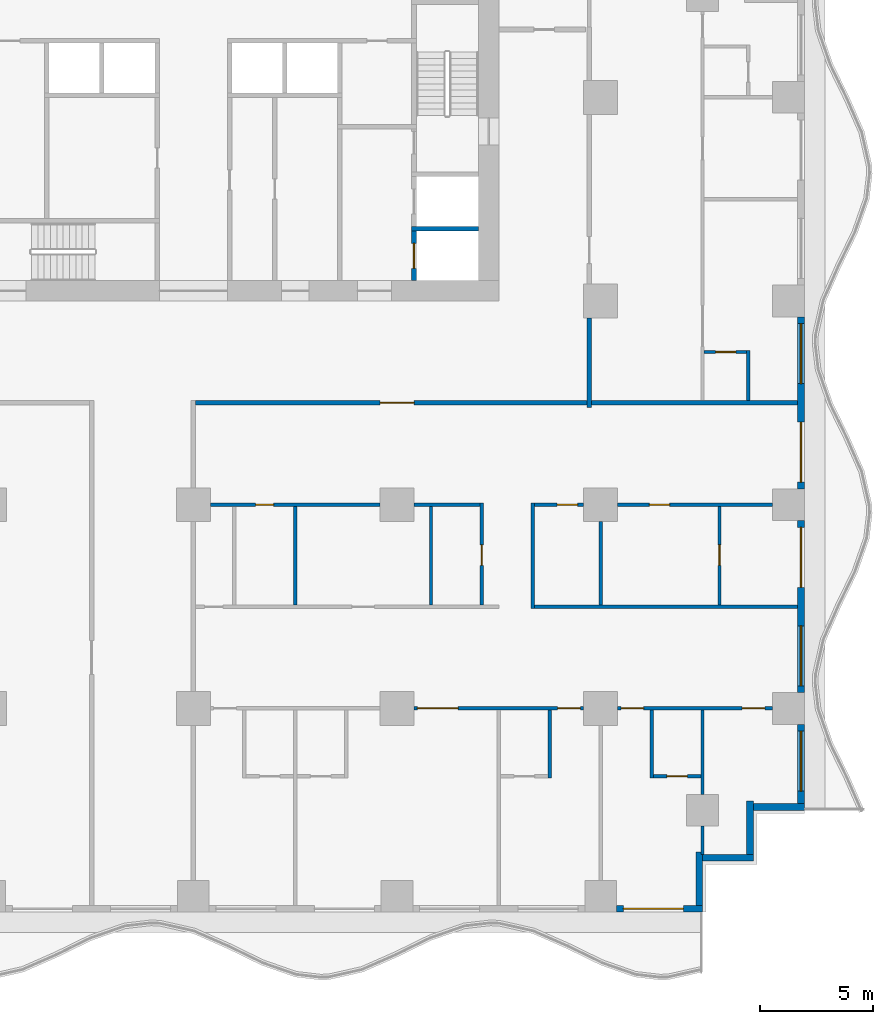
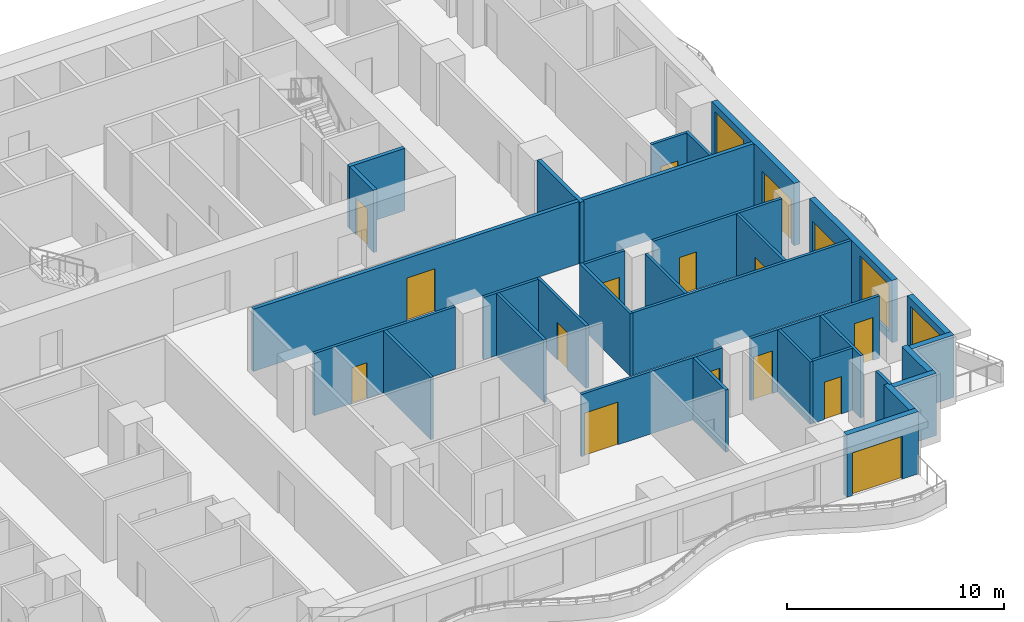
# One storey, part 4 of 14: 33 walls, 16 doors, 3 windows, 19 openings.
"""IFC4 building model written with IfcOpenShell, lengths in metres."""

from ifc_helpers import new_model, si_unit, direction, frame, frame_2d, origin, place, context, subcontext, project, spatial, rectangle, extrude, material, layer, layer_set, type_object, element, fill, save


model = new_model("IFC4")

# Units and contexts
model_context = context("Model", 3, precision=1e-05, world=origin(), true_north=direction((0.0, 1.0)))
body_context = subcontext(model_context, "Body", "Model", "MODEL_VIEW")
ifc_project = project(units=[si_unit("LENGTHUNIT", "METRE"), si_unit("AREAUNIT", "SQUARE_METRE"), si_unit("VOLUMEUNIT", "CUBIC_METRE"), si_unit("PLANEANGLEUNIT", "RADIAN"), si_unit("MASSUNIT", "GRAM", prefix="KILO")], contexts=[model_context])

# Site, building, storey
site_placement = place(None, origin())
site = spatial("IfcSite", under=ifc_project, at=site_placement, CompositionType="ELEMENT")
building_placement = place(site_placement, origin())
building = spatial("IfcBuilding", under=site, at=building_placement, Name="Orbiselva Terraces", CompositionType="ELEMENT")
storey_placement = place(building_placement, frame((0.0, 0.0, 56.8)))
storey = spatial("IfcBuildingStorey", under=building, at=storey_placement, Name="L14", CompositionType="ELEMENT", Elevation=56.8)

# Wall, opening, door
ifc_material_1 = material(Name="Concrete C60/75", Category="concrete")
ifc_layer_1 = layer(ifc_material_1, 0.2)
ifc_layer_set_1 = layer_set([ifc_layer_1], Name="Concrete C60/75")
wall_type_1 = type_object("IfcWallType", Name="CORE-WALL-SHEAR-200", PredefinedType="SHEAR", material=ifc_layer_set_1)
wall_1_placement = place(storey_placement, frame((9.75, 5.4, 0.0), z_axis=(0.0, 0.0, 1.0), x_axis=(0.0, 1.0, 0.0)))
wall_1 = element("IfcWall", 1, at=wall_1_placement, inside=storey, type_object=wall_type_1, Name="L14 core wall 36", PredefinedType="SHEAR", context=body_context, shape_type="SweptSolid", body=[
    extrude(rectangle(XDim=2.2, YDim=0.2, at=frame_2d((1.1, 0.0))), origin(), (0.0, 0.0, 1.0), 3.5),
])
opening_1_placement = place(wall_1_placement, frame((0.55, 0.0, 0.0)))
opening_1 = element("IfcOpeningElement", 2, at=opening_1_placement, cuts=wall_1, Name="Opening LD-FF1", PredefinedType="OPENING", context=body_context, shape_type="SweptSolid", body=[
    extrude(rectangle(XDim=1.1, YDim=2.1, at=frame_2d((0.55, 1.05))), frame((0.0, 0.11, 0.0), z_axis=(0.0, -1.0, 0.0), x_axis=(1.0, 0.0, 0.0)), (0.0, 0.0, 1.0), 0.22),
])
ifc_material_2 = material(Name="Stainless steel landing door", Category="steel")
door_type_1 = type_object("IfcDoorType", Name="LANDING DOOR 1100", OperationType="SLIDING_TO_LEFT", PredefinedType="DOOR", material=ifc_material_2)
door_1_placement = place(opening_1_placement, origin())
door_1 = element("IfcDoor", 3, at=door_1_placement, inside=storey, type_object=door_type_1, Name="L14 landing door FF1", OperationType="SLIDING_TO_RIGHT", OverallHeight=2.1, OverallWidth=1.1, PredefinedType="DOOR", context=body_context, shape_type="SweptSolid", body=[
    extrude(rectangle(XDim=1.1, YDim=2.1, at=frame_2d((0.55, 1.05))), frame((0.0, 0.025, 0.0), z_axis=(0.0, -1.0, 0.0), x_axis=(1.0, 0.0, 0.0)), (0.0, 0.0, 1.0), 0.05),
])
fill(opening_1, door_1)

# Wall
wall_2_placement = place(storey_placement, frame((9.65, 7.7, 0.0), z_axis=(0.0, 0.0, 1.0), x_axis=(1.0, 0.0, 0.0)))
element("IfcWall", 4, at=wall_2_placement, inside=storey, type_object=wall_type_1, Name="L14 core wall 37", PredefinedType="SHEAR", context=body_context, shape_type="SweptSolid", body=[
    extrude(rectangle(XDim=2.95, YDim=0.2, at=frame_2d((1.475, 0.0))), origin(), (0.0, 0.0, 1.0), 3.5),
])

# Wall, opening, door
ifc_material_3 = material(Name="Terracotta cladding on masonry backing", Category="masonry")
ifc_layer_2 = layer(ifc_material_3, 0.3)
ifc_layer_set_2 = layer_set([ifc_layer_2], Name="Terracotta cladding on masonry backing")
wall_type_2 = type_object("IfcWallType", Name="ENV-WALL-TERRACOTTA-300", PredefinedType="SOLIDWALL", material=ifc_layer_set_2)
wall_3_placement = place(storey_placement, frame((22.5, -22.35, 0.0), z_axis=(0.0, 0.0, 1.0), x_axis=(-1.0, 0.0, 0.0)))
wall_3 = element("IfcWall", 5, at=wall_3_placement, inside=storey, type_object=wall_type_2, Name="Facade wall L14 S", PredefinedType="SOLIDWALL", context=body_context, shape_type="SweptSolid", body=[
    extrude(rectangle(XDim=3.8, YDim=0.3, at=frame_2d((1.9, 0.0))), origin(), (0.0, 0.0, 1.0), 3.5),
])
opening_2_placement = place(wall_3_placement, frame((0.85, 0.0, 0.0)))
opening_2 = element("IfcOpeningElement", 6, at=opening_2_placement, cuts=wall_3, Name="Opening Z1-E-E04", PredefinedType="OPENING", context=body_context, shape_type="SweptSolid", body=[
    extrude(rectangle(XDim=2.65, YDim=2.4, at=frame_2d((1.325, 1.2))), frame((0.0, 0.16, 0.0), z_axis=(0.0, -1.0, 0.0), x_axis=(1.0, 0.0, 0.0)), (0.0, 0.0, 1.0), 0.32),
])
ifc_material_4 = material(Name="Clear low-e glazing in aluminium frame", Category="aluminium")
door_type_2 = type_object("IfcDoorType", Name="BALCONY DOOR 2650 X 2400", OperationType="DOUBLE_DOOR_SLIDING", PredefinedType="DOOR", material=ifc_material_4)
door_2_placement = place(opening_2_placement, origin())
door_2 = element("IfcDoor", 7, at=door_2_placement, inside=storey, type_object=door_type_2, Name="Z1-E-E04", OperationType="SINGLE_SWING_LEFT", OverallHeight=2.4, OverallWidth=2.65, PredefinedType="DOOR", context=body_context, shape_type="SweptSolid", body=[
    extrude(rectangle(XDim=2.65, YDim=2.4, at=frame_2d((1.325, 1.2))), frame((0.0, 0.025, 0.0), z_axis=(0.0, -1.0, 0.0), x_axis=(1.0, 0.0, 0.0)), (0.0, 0.0, 1.0), 0.05),
])
fill(opening_2, door_2)

# Walls
wall_4_placement = place(storey_placement, frame((22.35, -19.85, 0.0), z_axis=(0.0, 0.0, 1.0), x_axis=(0.0, -1.0, 0.0)))
element("IfcWall", 8, at=wall_4_placement, inside=storey, type_object=wall_type_2, Name="Facade wall L14 STEP", PredefinedType="SOLIDWALL", context=body_context, shape_type="SweptSolid", body=[
    extrude(rectangle(XDim=2.35, YDim=0.3, at=frame_2d((1.175, 0.0))), origin(), (0.0, 0.0, 1.0), 3.5),
])
wall_5_placement = place(storey_placement, frame((24.75, -20.1, 0.0), z_axis=(0.0, 0.0, 1.0), x_axis=(-1.0, 0.0, 0.0)))
element("IfcWall", 9, at=wall_5_placement, inside=storey, type_object=wall_type_2, Name="Facade wall L14 STEP", PredefinedType="SOLIDWALL", context=body_context, shape_type="SweptSolid", body=[
    extrude(rectangle(XDim=2.25, YDim=0.3, at=frame_2d((1.125, 0.0))), origin(), (0.0, 0.0, 1.0), 3.5),
])
wall_6_placement = place(storey_placement, frame((24.6, -17.6, 0.0), z_axis=(0.0, 0.0, 1.0), x_axis=(0.0, -1.0, 0.0)))
element("IfcWall", 10, at=wall_6_placement, inside=storey, type_object=wall_type_2, Name="Facade wall L14 STEP", PredefinedType="SOLIDWALL", context=body_context, shape_type="SweptSolid", body=[
    extrude(rectangle(XDim=2.35, YDim=0.3, at=frame_2d((1.175, 0.0))), origin(), (0.0, 0.0, 1.0), 3.5),
])
wall_7_placement = place(storey_placement, frame((27.0, -17.85, 0.0), z_axis=(0.0, 0.0, 1.0), x_axis=(-1.0, 0.0, 0.0)))
element("IfcWall", 11, at=wall_7_placement, inside=storey, type_object=wall_type_2, Name="Facade wall L14 STEP", PredefinedType="SOLIDWALL", context=body_context, shape_type="SweptSolid", body=[
    extrude(rectangle(XDim=2.25, YDim=0.3, at=frame_2d((1.125, 0.0))), origin(), (0.0, 0.0, 1.0), 3.5),
])

# Wall, opening, window
wall_8_placement = place(storey_placement, frame((26.85, -14.2, 0.0), z_axis=(0.0, 0.0, 1.0), x_axis=(0.0, -1.0, 0.0)))
wall_8 = element("IfcWall", 12, at=wall_8_placement, inside=storey, type_object=wall_type_2, Name="Facade wall L14 E", PredefinedType="SOLIDWALL", context=body_context, shape_type="SweptSolid", body=[
    extrude(rectangle(XDim=3.5, YDim=0.3, at=frame_2d((1.75, 0.0))), origin(), (0.0, 0.0, 1.0), 3.5),
])
opening_3_placement = place(wall_8_placement, frame((0.3, 0.0, 0.45)))
opening_3 = element("IfcOpeningElement", 13, at=opening_3_placement, cuts=wall_8, Name="Opening WN3", PredefinedType="OPENING", context=body_context, shape_type="SweptSolid", body=[
    extrude(rectangle(XDim=2.65, YDim=2.65, at=frame_2d((1.325, 1.325))), frame((0.0, 0.16, 0.0), z_axis=(0.0, -1.0, 0.0), x_axis=(1.0, 0.0, 0.0)), (0.0, 0.0, 1.0), 0.32),
])
window_type = type_object("IfcWindowType", Name="WINDOW 2650 X 2650 S450", PartitioningType="TRIPLE_PANEL_VERTICAL", PredefinedType="WINDOW", material=ifc_material_4)
window_1_placement = place(opening_3_placement, origin())
window_1 = element("IfcWindow", 14, at=window_1_placement, inside=storey, type_object=window_type, Name="Window L14 E", OverallHeight=2.65, OverallWidth=2.65, PartitioningType="SINGLE_PANEL", PredefinedType="WINDOW", context=body_context, shape_type="SweptSolid", body=[
    extrude(rectangle(XDim=2.65, YDim=2.65, at=frame_2d((1.325, 1.325))), frame((0.0, 0.03, 0.0), z_axis=(0.0, -1.0, 0.0), x_axis=(1.0, 0.0, 0.0)), (0.0, 0.0, 1.0), 0.06),
])
fill(opening_3, window_1)

# Wall, openings, door, window
wall_9_placement = place(storey_placement, frame((26.85, -5.2, 0.0), z_axis=(0.0, 0.0, 1.0), x_axis=(0.0, -1.0, 0.0)))
wall_9 = element("IfcWall", 15, at=wall_9_placement, inside=storey, type_object=wall_type_2, Name="Facade wall L14 E", PredefinedType="SOLIDWALL", context=body_context, shape_type="SweptSolid", body=[
    extrude(rectangle(XDim=7.6, YDim=0.3, at=frame_2d((3.8, 0.0))), origin(), (0.0, 0.0, 1.0), 3.5),
])
opening_4_placement = place(wall_9_placement, frame((4.65, 0.0, 0.45)))
opening_4 = element("IfcOpeningElement", 16, at=opening_4_placement, cuts=wall_9, Name="Opening WN3", PredefinedType="OPENING", context=body_context, shape_type="SweptSolid", body=[
    extrude(rectangle(XDim=2.65, YDim=2.65, at=frame_2d((1.325, 1.325))), frame((0.0, 0.16, 0.0), z_axis=(0.0, -1.0, 0.0), x_axis=(1.0, 0.0, 0.0)), (0.0, 0.0, 1.0), 0.32),
])
opening_5_placement = place(wall_9_placement, frame((0.3, 0.0, 0.0)))
opening_5 = element("IfcOpeningElement", 17, at=opening_5_placement, cuts=wall_9, Name="Opening Z1-E-E05", PredefinedType="OPENING", context=body_context, shape_type="SweptSolid", body=[
    extrude(rectangle(XDim=2.65, YDim=2.4, at=frame_2d((1.325, 1.2))), frame((0.0, 0.16, 0.0), z_axis=(0.0, -1.0, 0.0), x_axis=(1.0, 0.0, 0.0)), (0.0, 0.0, 1.0), 0.32),
])
door_3_placement = place(opening_5_placement, origin())
door_3 = element("IfcDoor", 18, at=door_3_placement, inside=storey, type_object=door_type_2, Name="Z1-E-E05", OperationType="SINGLE_SWING_LEFT", OverallHeight=2.4, OverallWidth=2.65, PredefinedType="DOOR", context=body_context, shape_type="SweptSolid", body=[
    extrude(rectangle(XDim=2.65, YDim=2.4, at=frame_2d((1.325, 1.2))), frame((0.0, 0.025, 0.0), z_axis=(0.0, -1.0, 0.0), x_axis=(1.0, 0.0, 0.0)), (0.0, 0.0, 1.0), 0.05),
])
fill(opening_5, door_3)
window_2_placement = place(opening_4_placement, origin())
window_2 = element("IfcWindow", 19, at=window_2_placement, inside=storey, type_object=window_type, Name="Window L14 E", OverallHeight=2.65, OverallWidth=2.65, PartitioningType="SINGLE_PANEL", PredefinedType="WINDOW", context=body_context, shape_type="SweptSolid", body=[
    extrude(rectangle(XDim=2.65, YDim=2.65, at=frame_2d((1.325, 1.325))), frame((0.0, 0.03, 0.0), z_axis=(0.0, -1.0, 0.0), x_axis=(1.0, 0.0, 0.0)), (0.0, 0.0, 1.0), 0.06),
])
fill(opening_4, window_2)

wall_10_placement = place(storey_placement, frame((26.85, 3.8, 0.0), z_axis=(0.0, 0.0, 1.0), x_axis=(0.0, -1.0, 0.0)))
wall_10 = element("IfcWall", 20, at=wall_10_placement, inside=storey, type_object=wall_type_2, Name="Facade wall L14 E", PredefinedType="SOLIDWALL", context=body_context, shape_type="SweptSolid", body=[
    extrude(rectangle(XDim=7.6, YDim=0.3, at=frame_2d((3.8, 0.0))), origin(), (0.0, 0.0, 1.0), 3.5),
])
opening_6_placement = place(wall_10_placement, frame((4.65, 0.0, 0.0)))
opening_6 = element("IfcOpeningElement", 21, at=opening_6_placement, cuts=wall_10, Name="Opening Z1-E-E06", PredefinedType="OPENING", context=body_context, shape_type="SweptSolid", body=[
    extrude(rectangle(XDim=2.65, YDim=2.4, at=frame_2d((1.325, 1.2))), frame((0.0, 0.16, 0.0), z_axis=(0.0, -1.0, 0.0), x_axis=(1.0, 0.0, 0.0)), (0.0, 0.0, 1.0), 0.32),
])
opening_7_placement = place(wall_10_placement, frame((0.3, 0.0, 0.45)))
opening_7 = element("IfcOpeningElement", 22, at=opening_7_placement, cuts=wall_10, Name="Opening WN3", PredefinedType="OPENING", context=body_context, shape_type="SweptSolid", body=[
    extrude(rectangle(XDim=2.65, YDim=2.65, at=frame_2d((1.325, 1.325))), frame((0.0, 0.16, 0.0), z_axis=(0.0, -1.0, 0.0), x_axis=(1.0, 0.0, 0.0)), (0.0, 0.0, 1.0), 0.32),
])
door_4_placement = place(opening_6_placement, origin())
door_4 = element("IfcDoor", 23, at=door_4_placement, inside=storey, type_object=door_type_2, Name="Z1-E-E06", OperationType="SINGLE_SWING_LEFT", OverallHeight=2.4, OverallWidth=2.65, PredefinedType="DOOR", context=body_context, shape_type="SweptSolid", body=[
    extrude(rectangle(XDim=2.65, YDim=2.4, at=frame_2d((1.325, 1.2))), frame((0.0, 0.025, 0.0), z_axis=(0.0, -1.0, 0.0), x_axis=(1.0, 0.0, 0.0)), (0.0, 0.0, 1.0), 0.05),
])
fill(opening_6, door_4)
window_3_placement = place(opening_7_placement, origin())
window_3 = element("IfcWindow", 24, at=window_3_placement, inside=storey, type_object=window_type, Name="Window L14 E", OverallHeight=2.65, OverallWidth=2.65, PartitioningType="SINGLE_PANEL", PredefinedType="WINDOW", context=body_context, shape_type="SweptSolid", body=[
    extrude(rectangle(XDim=2.65, YDim=2.65, at=frame_2d((1.325, 1.325))), frame((0.0, 0.03, 0.0), z_axis=(0.0, -1.0, 0.0), x_axis=(1.0, 0.0, 0.0)), (0.0, 0.0, 1.0), 0.06),
])
fill(opening_7, window_3)

# Wall, opening, door
ifc_material_5 = material(Name="Plasterboard on steel stud partition", Category="steel")
ifc_layer_3 = layer(ifc_material_5, 0.2)
ifc_layer_set_3 = layer_set([ifc_layer_3], Name="Plasterboard on steel stud partition")
wall_type_3 = type_object("IfcWallType", Name="UNIT-ENTRANCE-WALL-200", PredefinedType="PARTITIONING", material=ifc_layer_set_3)
wall_11_placement = place(storey_placement, frame((17.4, 0.0, 0.0), z_axis=(0.0, 0.0, 1.0), x_axis=(-1.0, 0.0, 0.0)))
wall_11 = element("IfcWall", 25, at=wall_11_placement, inside=storey, type_object=wall_type_3, Name="PARTITION L14-030", PredefinedType="PARTITIONING", context=body_context, shape_type="SweptSolid", body=[
    extrude(rectangle(XDim=17.3, YDim=0.2, at=frame_2d((8.65, 0.0))), origin(), (0.0, 0.0, 1.0), 3.5),
])
opening_8_placement = place(wall_11_placement, frame((7.65, 0.0, 0.0)))
opening_8 = element("IfcOpeningElement", 26, at=opening_8_placement, cuts=wall_11, Name="Opening Z1-E-31", PredefinedType="OPENING", context=body_context, shape_type="SweptSolid", body=[
    extrude(rectangle(XDim=1.5, YDim=2.4, at=frame_2d((0.75, 1.2))), frame((0.0, 0.11, 0.0), z_axis=(0.0, -1.0, 0.0), x_axis=(1.0, 0.0, 0.0)), (0.0, 0.0, 1.0), 0.22),
])
ifc_material_6 = material(Name="Painted timber door leaf", Category="wood")
door_type_3 = type_object("IfcDoorType", Name="ENTRANCE DOUBLE DOOR 1500", OperationType="NOTDEFINED", PredefinedType="DOOR", material=ifc_material_6)
door_5_placement = place(opening_8_placement, origin())
door_5 = element("IfcDoor", 27, at=door_5_placement, inside=storey, type_object=door_type_3, Name="Z1-E-31", OperationType="DOUBLE_DOOR_SINGLE_SWING", OverallHeight=2.4, OverallWidth=1.5, PredefinedType="DOOR", context=body_context, shape_type="SweptSolid", body=[
    extrude(rectangle(XDim=1.5, YDim=2.4, at=frame_2d((0.75, 1.2))), frame((0.0, 0.025, 0.0), z_axis=(0.0, -1.0, 0.0), x_axis=(1.0, 0.0, 0.0)), (0.0, 0.0, 1.0), 0.05),
])
fill(opening_8, door_5)

# Wall
wall_12_placement = place(storey_placement, frame((17.5, -0.2, 0.0), z_axis=(0.0, 0.0, 1.0), x_axis=(0.0, 1.0, 0.0)))
element("IfcWall", 28, at=wall_12_placement, inside=storey, type_object=wall_type_3, Name="PARTITION L14-077", PredefinedType="PARTITIONING", context=body_context, shape_type="SweptSolid", body=[
    extrude(rectangle(XDim=3.95, YDim=0.2, at=frame_2d((1.975, 0.0))), origin(), (0.0, 0.0, 1.0), 3.5),
])

# Wall, opening, door
ifc_layer_4 = layer(ifc_material_5, 0.15)
ifc_layer_set_4 = layer_set([ifc_layer_4], Name="Plasterboard on steel stud partition")
wall_type_4 = type_object("IfcWallType", Name="UNIT-PARTITION-150", PredefinedType="PARTITIONING", material=ifc_layer_set_4)
wall_13_placement = place(storey_placement, frame((20.325, -16.5, 0.0), z_axis=(0.0, 0.0, 1.0), x_axis=(1.0, 0.0, 0.0)))
wall_13 = element("IfcWall", 29, at=wall_13_placement, inside=storey, type_object=wall_type_4, Name="PARTITION L14-006", PredefinedType="PARTITIONING", context=body_context, shape_type="SweptSolid", body=[
    extrude(rectangle(XDim=2.1, YDim=0.15, at=frame_2d((1.05, 0.0))), origin(), (0.0, 0.0, 1.0), 3.5),
])
opening_9_placement = place(wall_13_placement, frame((0.6, 0.0, 0.0)))
opening_9 = element("IfcOpeningElement", 30, at=opening_9_placement, cuts=wall_13, Name="Opening Z1-E-46", PredefinedType="OPENING", context=body_context, shape_type="SweptSolid", body=[
    extrude(rectangle(XDim=0.9, YDim=2.1, at=frame_2d((0.45, 1.05))), frame((0.0, 0.085, 0.0), z_axis=(0.0, -1.0, 0.0), x_axis=(1.0, 0.0, 0.0)), (0.0, 0.0, 1.0), 0.17),
])
door_type_4 = type_object("IfcDoorType", Name="BATH DOOR 900", OperationType="NOTDEFINED", PredefinedType="DOOR", material=ifc_material_6)
door_6_placement = place(opening_9_placement, origin())
door_6 = element("IfcDoor", 31, at=door_6_placement, inside=storey, type_object=door_type_4, Name="Z1-E-46", OperationType="SINGLE_SWING_LEFT", OverallHeight=2.1, OverallWidth=0.9, PredefinedType="DOOR", context=body_context, shape_type="SweptSolid", body=[
    extrude(rectangle(XDim=0.9, YDim=2.1, at=frame_2d((0.45, 1.05))), frame((0.0, 0.025, 0.0), z_axis=(0.0, -1.0, 0.0), x_axis=(1.0, 0.0, 0.0)), (0.0, 0.0, 1.0), 0.05),
])
fill(opening_9, door_6)

# Wall, openings, doors
wall_14_placement = place(storey_placement, frame((17.25, -13.5, 0.0), z_axis=(0.0, 0.0, 1.0), x_axis=(-1.0, 0.0, 0.0)))
wall_14 = element("IfcWall", 32, at=wall_14_placement, inside=storey, type_object=wall_type_4, Name="PARTITION L14-011", PredefinedType="PARTITIONING", context=body_context, shape_type="SweptSolid", body=[
    extrude(rectangle(XDim=7.5, YDim=0.15, at=frame_2d((3.75, 0.0))), origin(), (0.0, 0.0, 1.0), 3.5),
])
opening_10_placement = place(wall_14_placement, frame((5.55, 0.0, 0.0)))
opening_10 = element("IfcOpeningElement", 33, at=opening_10_placement, cuts=wall_14, Name="Opening Z1-E-41", PredefinedType="OPENING", context=body_context, shape_type="SweptSolid", body=[
    extrude(rectangle(XDim=1.8, YDim=2.4, at=frame_2d((0.9, 1.2))), frame((0.0, 0.085, 0.0), z_axis=(0.0, -1.0, 0.0), x_axis=(1.0, 0.0, 0.0)), (0.0, 0.0, 1.0), 0.17),
])
opening_11_placement = place(wall_14_placement, frame((0.15, 0.0, 0.0)))
opening_11 = element("IfcOpeningElement", 34, at=opening_11_placement, cuts=wall_14, Name="Opening Z1-E-43", PredefinedType="OPENING", context=body_context, shape_type="SweptSolid", body=[
    extrude(rectangle(XDim=1.0, YDim=2.4, at=frame_2d((0.5, 1.2))), frame((0.0, 0.085, 0.0), z_axis=(0.0, -1.0, 0.0), x_axis=(1.0, 0.0, 0.0)), (0.0, 0.0, 1.0), 0.17),
])
door_type_5 = type_object("IfcDoorType", Name="DOUBLE DOOR 1800", OperationType="NOTDEFINED", PredefinedType="DOOR", material=ifc_material_6)
door_7_placement = place(opening_10_placement, origin())
door_7 = element("IfcDoor", 35, at=door_7_placement, inside=storey, type_object=door_type_5, Name="Z1-E-41", OperationType="DOUBLE_DOOR_SINGLE_SWING", OverallHeight=2.4, OverallWidth=1.8, PredefinedType="DOOR", context=body_context, shape_type="SweptSolid", body=[
    extrude(rectangle(XDim=1.8, YDim=2.4, at=frame_2d((0.9, 1.2))), frame((0.0, 0.025, 0.0), z_axis=(0.0, -1.0, 0.0), x_axis=(1.0, 0.0, 0.0)), (0.0, 0.0, 1.0), 0.05),
])
fill(opening_10, door_7)
door_type_6 = type_object("IfcDoorType", Name="ROOM DOOR 1000", OperationType="NOTDEFINED", PredefinedType="DOOR", material=ifc_material_6)
door_8_placement = place(opening_11_placement, origin())
door_8 = element("IfcDoor", 36, at=door_8_placement, inside=storey, type_object=door_type_6, Name="Z1-E-43", OperationType="SINGLE_SWING_LEFT", OverallHeight=2.4, OverallWidth=1.0, PredefinedType="DOOR", context=body_context, shape_type="SweptSolid", body=[
    extrude(rectangle(XDim=1.0, YDim=2.4, at=frame_2d((0.5, 1.2))), frame((0.0, 0.025, 0.0), z_axis=(0.0, -1.0, 0.0), x_axis=(1.0, 0.0, 0.0)), (0.0, 0.0, 1.0), 0.05),
])
fill(opening_11, door_8)

wall_15_placement = place(storey_placement, frame((25.6, -13.5, 0.0), z_axis=(0.0, 0.0, 1.0), x_axis=(-1.0, 0.0, 0.0)))
wall_15 = element("IfcWall", 37, at=wall_15_placement, inside=storey, type_object=wall_type_4, Name="PARTITION L14-012", PredefinedType="PARTITIONING", context=body_context, shape_type="SweptSolid", body=[
    extrude(rectangle(XDim=6.85, YDim=0.15, at=frame_2d((3.425, 0.0))), origin(), (0.0, 0.0, 1.0), 3.5),
])
opening_12_placement = place(wall_15_placement, frame((5.7, 0.0, 0.0)))
opening_12 = element("IfcOpeningElement", 38, at=opening_12_placement, cuts=wall_15, Name="Opening Z1-E-45", PredefinedType="OPENING", context=body_context, shape_type="SweptSolid", body=[
    extrude(rectangle(XDim=1.0, YDim=2.4, at=frame_2d((0.5, 1.2))), frame((0.0, 0.085, 0.0), z_axis=(0.0, -1.0, 0.0), x_axis=(1.0, 0.0, 0.0)), (0.0, 0.0, 1.0), 0.17),
])
opening_13_placement = place(wall_15_placement, frame((0.35, 0.0, 0.0)))
opening_13 = element("IfcOpeningElement", 39, at=opening_13_placement, cuts=wall_15, Name="Opening Z1-E-47", PredefinedType="OPENING", context=body_context, shape_type="SweptSolid", body=[
    extrude(rectangle(XDim=1.0, YDim=2.4, at=frame_2d((0.5, 1.2))), frame((0.0, 0.085, 0.0), z_axis=(0.0, -1.0, 0.0), x_axis=(1.0, 0.0, 0.0)), (0.0, 0.0, 1.0), 0.17),
])
door_9_placement = place(opening_12_placement, origin())
door_9 = element("IfcDoor", 40, at=door_9_placement, inside=storey, type_object=door_type_6, Name="Z1-E-45", OperationType="SINGLE_SWING_RIGHT", OverallHeight=2.4, OverallWidth=1.0, PredefinedType="DOOR", context=body_context, shape_type="SweptSolid", body=[
    extrude(rectangle(XDim=1.0, YDim=2.4, at=frame_2d((0.5, 1.2))), frame((0.0, 0.025, 0.0), z_axis=(0.0, -1.0, 0.0), x_axis=(1.0, 0.0, 0.0)), (0.0, 0.0, 1.0), 0.05),
])
fill(opening_12, door_9)
door_10_placement = place(opening_13_placement, origin())
door_10 = element("IfcDoor", 41, at=door_10_placement, inside=storey, type_object=door_type_6, Name="Z1-E-47", OperationType="SINGLE_SWING_LEFT", OverallHeight=2.4, OverallWidth=1.0, PredefinedType="DOOR", context=body_context, shape_type="SweptSolid", body=[
    extrude(rectangle(XDim=1.0, YDim=2.4, at=frame_2d((0.5, 1.2))), frame((0.0, 0.025, 0.0), z_axis=(0.0, -1.0, 0.0), x_axis=(1.0, 0.0, 0.0)), (0.0, 0.0, 1.0), 0.05),
])
fill(opening_13, door_10)

# Wall
wall_16_placement = place(storey_placement, frame((15.075, -9.0, 0.0), z_axis=(0.0, 0.0, 1.0), x_axis=(1.0, 0.0, 0.0)))
element("IfcWall", 42, at=wall_16_placement, inside=storey, type_object=wall_type_4, Name="PARTITION L14-019", PredefinedType="PARTITIONING", context=body_context, shape_type="SweptSolid", body=[
    extrude(rectangle(XDim=11.625, YDim=0.15, at=frame_2d((5.8125, 0.0))), origin(), (0.0, 0.0, 1.0), 3.5),
])

# Wall, opening, door
wall_17_placement = place(storey_placement, frame((8.25, -4.5, 0.0), z_axis=(0.0, 0.0, 1.0), x_axis=(-1.0, 0.0, 0.0)))
wall_17 = element("IfcWall", 43, at=wall_17_placement, inside=storey, type_object=wall_type_4, Name="PARTITION L14-023", PredefinedType="PARTITIONING", context=body_context, shape_type="SweptSolid", body=[
    extrude(rectangle(XDim=7.5, YDim=0.15, at=frame_2d((3.75, 0.0))), origin(), (0.0, 0.0, 1.0), 3.5),
])
opening_14_placement = place(wall_17_placement, frame((4.7, 0.0, 0.0)))
opening_14 = element("IfcOpeningElement", 44, at=opening_14_placement, cuts=wall_17, Name="Opening Z1-E-33", PredefinedType="OPENING", context=body_context, shape_type="SweptSolid", body=[
    extrude(rectangle(XDim=0.8, YDim=2.0, at=frame_2d((0.4, 1.0))), frame((0.0, 0.085, 0.0), z_axis=(0.0, -1.0, 0.0), x_axis=(1.0, 0.0, 0.0)), (0.0, 0.0, 1.0), 0.17),
])
door_type_7 = type_object("IfcDoorType", Name="STORE DOOR 800", OperationType="NOTDEFINED", PredefinedType="DOOR", material=ifc_material_6)
door_11_placement = place(opening_14_placement, origin())
door_11 = element("IfcDoor", 45, at=door_11_placement, inside=storey, type_object=door_type_7, Name="Z1-E-33", OperationType="SINGLE_SWING_RIGHT", OverallHeight=2.0, OverallWidth=0.8, PredefinedType="DOOR", context=body_context, shape_type="SweptSolid", body=[
    extrude(rectangle(XDim=0.8, YDim=2.0, at=frame_2d((0.4, 1.0))), frame((0.0, 0.025, 0.0), z_axis=(0.0, -1.0, 0.0), x_axis=(1.0, 0.0, 0.0)), (0.0, 0.0, 1.0), 0.05),
])
fill(opening_14, door_11)

# Wall
wall_18_placement = place(storey_placement, frame((9.75, -4.5, 0.0), z_axis=(0.0, 0.0, 1.0), x_axis=(1.0, 0.0, 0.0)))
element("IfcWall", 46, at=wall_18_placement, inside=storey, type_object=wall_type_4, Name="PARTITION L14-024", PredefinedType="PARTITIONING", context=body_context, shape_type="SweptSolid", body=[
    extrude(rectangle(XDim=2.925, YDim=0.15, at=frame_2d((1.4625, 0.0))), origin(), (0.0, 0.0, 1.0), 3.5),
])

# Wall, opening, door
wall_19_placement = place(storey_placement, frame((17.25, -4.5, 0.0), z_axis=(0.0, 0.0, 1.0), x_axis=(-1.0, 0.0, 0.0)))
wall_19 = element("IfcWall", 47, at=wall_19_placement, inside=storey, type_object=wall_type_4, Name="PARTITION L14-025", PredefinedType="PARTITIONING", context=body_context, shape_type="SweptSolid", body=[
    extrude(rectangle(XDim=2.175, YDim=0.15, at=frame_2d((1.0875, 0.0))), origin(), (0.0, 0.0, 1.0), 3.5),
])
opening_15_placement = place(wall_19_placement, frame((0.275, 0.0, 0.0)))
opening_15 = element("IfcOpeningElement", 48, at=opening_15_placement, cuts=wall_19, Name="Opening Z1-E-36", PredefinedType="OPENING", context=body_context, shape_type="SweptSolid", body=[
    extrude(rectangle(XDim=0.9, YDim=2.1, at=frame_2d((0.45, 1.05))), frame((0.0, 0.085, 0.0), z_axis=(0.0, -1.0, 0.0), x_axis=(1.0, 0.0, 0.0)), (0.0, 0.0, 1.0), 0.17),
])
door_type_8 = type_object("IfcDoorType", Name="SERVICE DOOR 900", OperationType="NOTDEFINED", PredefinedType="DOOR", material=ifc_material_6)
door_12_placement = place(opening_15_placement, origin())
door_12 = element("IfcDoor", 49, at=door_12_placement, inside=storey, type_object=door_type_8, Name="Z1-E-36", OperationType="SINGLE_SWING_LEFT", OverallHeight=2.1, OverallWidth=0.9, PredefinedType="DOOR", context=body_context, shape_type="SweptSolid", body=[
    extrude(rectangle(XDim=0.9, YDim=2.1, at=frame_2d((0.45, 1.05))), frame((0.0, 0.025, 0.0), z_axis=(0.0, -1.0, 0.0), x_axis=(1.0, 0.0, 0.0)), (0.0, 0.0, 1.0), 0.05),
])
fill(opening_15, door_12)

wall_20_placement = place(storey_placement, frame((25.6, -4.5, 0.0), z_axis=(0.0, 0.0, 1.0), x_axis=(-1.0, 0.0, 0.0)))
wall_20 = element("IfcWall", 50, at=wall_20_placement, inside=storey, type_object=wall_type_4, Name="PARTITION L14-026", PredefinedType="PARTITIONING", context=body_context, shape_type="SweptSolid", body=[
    extrude(rectangle(XDim=6.85, YDim=0.15, at=frame_2d((3.425, 0.0))), origin(), (0.0, 0.0, 1.0), 3.5),
])
opening_16_placement = place(wall_20_placement, frame((4.55, 0.0, 0.0)))
opening_16 = element("IfcOpeningElement", 51, at=opening_16_placement, cuts=wall_20, Name="Opening Z1-E-37", PredefinedType="OPENING", context=body_context, shape_type="SweptSolid", body=[
    extrude(rectangle(XDim=0.9, YDim=2.1, at=frame_2d((0.45, 1.05))), frame((0.0, 0.085, 0.0), z_axis=(0.0, -1.0, 0.0), x_axis=(1.0, 0.0, 0.0)), (0.0, 0.0, 1.0), 0.17),
])
door_13_placement = place(opening_16_placement, origin())
door_13 = element("IfcDoor", 52, at=door_13_placement, inside=storey, type_object=door_type_8, Name="Z1-E-37", OperationType="SINGLE_SWING_RIGHT", OverallHeight=2.1, OverallWidth=0.9, PredefinedType="DOOR", context=body_context, shape_type="SweptSolid", body=[
    extrude(rectangle(XDim=0.9, YDim=2.1, at=frame_2d((0.45, 1.05))), frame((0.0, 0.025, 0.0), z_axis=(0.0, -1.0, 0.0), x_axis=(1.0, 0.0, 0.0)), (0.0, 0.0, 1.0), 0.05),
])
fill(opening_16, door_13)

wall_21_placement = place(storey_placement, frame((24.45, 2.25, 0.0), z_axis=(0.0, 0.0, 1.0), x_axis=(-1.0, 0.0, 0.0)))
wall_21 = element("IfcWall", 53, at=wall_21_placement, inside=storey, type_object=wall_type_4, Name="PARTITION L14-033", PredefinedType="PARTITIONING", context=body_context, shape_type="SweptSolid", body=[
    extrude(rectangle(XDim=1.875, YDim=0.15, at=frame_2d((0.9375, 0.0))), origin(), (0.0, 0.0, 1.0), 3.5),
])
opening_17_placement = place(wall_21_placement, frame((0.475, 0.0, 0.0)))
opening_17 = element("IfcOpeningElement", 54, at=opening_17_placement, cuts=wall_21, Name="Opening Z1-E-11", PredefinedType="OPENING", context=body_context, shape_type="SweptSolid", body=[
    extrude(rectangle(XDim=0.9, YDim=2.1, at=frame_2d((0.45, 1.05))), frame((0.0, 0.085, 0.0), z_axis=(0.0, -1.0, 0.0), x_axis=(1.0, 0.0, 0.0)), (0.0, 0.0, 1.0), 0.17),
])
door_14_placement = place(opening_17_placement, origin())
door_14 = element("IfcDoor", 55, at=door_14_placement, inside=storey, type_object=door_type_4, Name="Z1-E-11", OperationType="SINGLE_SWING_LEFT", OverallHeight=2.1, OverallWidth=0.9, PredefinedType="DOOR", context=body_context, shape_type="SweptSolid", body=[
    extrude(rectangle(XDim=0.9, YDim=2.1, at=frame_2d((0.45, 1.05))), frame((0.0, 0.025, 0.0), z_axis=(0.0, -1.0, 0.0), x_axis=(1.0, 0.0, 0.0)), (0.0, 0.0, 1.0), 0.05),
])
fill(opening_17, door_14)

# Walls
for number, where, z_axis, x_axis, name in (
    (56, (4.5, -8.925, 0.0), (0.0, 0.0, 1.0), (0.0, 1.0, 0.0), "PARTITION L14-070"),
    (57, (10.5, -8.925, 0.0), (0.0, 0.0, 1.0), (0.0, 1.0, 0.0), "PARTITION L14-072"),
):
    element("IfcWall", number, at=place(storey_placement, frame(where, z_axis=z_axis, x_axis=x_axis)), inside=storey, type_object=wall_type_4, Name=name, PredefinedType="PARTITIONING", context=body_context, shape_type="SweptSolid", body=[
        extrude(rectangle(XDim=4.35, YDim=0.15, at=frame_2d((2.175, 0.0))), origin(), (0.0, 0.0, 1.0), 3.5),
    ])

# Wall, opening, door
wall_22_placement = place(storey_placement, frame((12.75, -8.925, 0.0), z_axis=(0.0, 0.0, 1.0), x_axis=(0.0, 1.0, 0.0)))
wall_22 = element("IfcWall", 58, at=wall_22_placement, inside=storey, type_object=wall_type_4, Name="PARTITION L14-073", PredefinedType="PARTITIONING", context=body_context, shape_type="SweptSolid", body=[
    extrude(rectangle(XDim=4.5, YDim=0.15, at=frame_2d((2.25, 0.0))), origin(), (0.0, 0.0, 1.0), 3.5),
])
opening_18_placement = place(wall_22_placement, frame((1.75, 0.0, 0.0)))
opening_18 = element("IfcOpeningElement", 59, at=opening_18_placement, cuts=wall_22, Name="Opening Z1-E-35", PredefinedType="OPENING", context=body_context, shape_type="SweptSolid", body=[
    extrude(rectangle(XDim=0.9, YDim=2.1, at=frame_2d((0.45, 1.05))), frame((0.0, 0.085, 0.0), z_axis=(0.0, -1.0, 0.0), x_axis=(1.0, 0.0, 0.0)), (0.0, 0.0, 1.0), 0.17),
])
door_15_placement = place(opening_18_placement, origin())
door_15 = element("IfcDoor", 60, at=door_15_placement, inside=storey, type_object=door_type_4, Name="Z1-E-35", OperationType="SINGLE_SWING_LEFT", OverallHeight=2.1, OverallWidth=0.9, PredefinedType="DOOR", context=body_context, shape_type="SweptSolid", body=[
    extrude(rectangle(XDim=0.9, YDim=2.1, at=frame_2d((0.45, 1.05))), frame((0.0, 0.025, 0.0), z_axis=(0.0, -1.0, 0.0), x_axis=(1.0, 0.0, 0.0)), (0.0, 0.0, 1.0), 0.05),
])
fill(opening_18, door_15)

# Walls
wall_23_placement = place(storey_placement, frame((15.0, -9.075, 0.0), z_axis=(0.0, 0.0, 1.0), x_axis=(0.0, 1.0, 0.0)))
element("IfcWall", 61, at=wall_23_placement, inside=storey, type_object=wall_type_4, Name="PARTITION L14-075", PredefinedType="PARTITIONING", context=body_context, shape_type="SweptSolid", body=[
    extrude(rectangle(XDim=4.65, YDim=0.15, at=frame_2d((2.325, 0.0))), origin(), (0.0, 0.0, 1.0), 3.5),
])
wall_24_placement = place(storey_placement, frame((15.75, -16.575, 0.0), z_axis=(0.0, 0.0, 1.0), x_axis=(0.0, 1.0, 0.0)))
element("IfcWall", 62, at=wall_24_placement, inside=storey, type_object=wall_type_4, Name="PARTITION L14-076", PredefinedType="PARTITIONING", context=body_context, shape_type="SweptSolid", body=[
    extrude(rectangle(XDim=3.0, YDim=0.15, at=frame_2d((1.5, 0.0))), origin(), (0.0, 0.0, 1.0), 3.5),
])
wall_25_placement = place(storey_placement, frame((18.0, -8.925, 0.0), z_axis=(0.0, 0.0, 1.0), x_axis=(0.0, 1.0, 0.0)))
element("IfcWall", 63, at=wall_25_placement, inside=storey, type_object=wall_type_4, Name="PARTITION L14-082", PredefinedType="PARTITIONING", context=body_context, shape_type="SweptSolid", body=[
    extrude(rectangle(XDim=3.675, YDim=0.15, at=frame_2d((1.8375, 0.0))), origin(), (0.0, 0.0, 1.0), 3.5),
])
wall_26_placement = place(storey_placement, frame((20.25, -16.575, 0.0), z_axis=(0.0, 0.0, 1.0), x_axis=(0.0, 1.0, 0.0)))
element("IfcWall", 64, at=wall_26_placement, inside=storey, type_object=wall_type_4, Name="PARTITION L14-083", PredefinedType="PARTITIONING", context=body_context, shape_type="SweptSolid", body=[
    extrude(rectangle(XDim=3.0, YDim=0.15, at=frame_2d((1.5, 0.0))), origin(), (0.0, 0.0, 1.0), 3.5),
])
wall_27_placement = place(storey_placement, frame((22.5, -19.95, 0.0), z_axis=(0.0, 0.0, 1.0), x_axis=(0.0, 1.0, 0.0)))
element("IfcWall", 65, at=wall_27_placement, inside=storey, type_object=wall_type_4, Name="PARTITION L14-084", PredefinedType="PARTITIONING", context=body_context, shape_type="SweptSolid", body=[
    extrude(rectangle(XDim=1.25, YDim=0.15, at=frame_2d((0.625, 0.0))), origin(), (0.0, 0.0, 1.0), 3.5),
])
wall_28_placement = place(storey_placement, frame((22.5, -17.3, 0.0), z_axis=(0.0, 0.0, 1.0), x_axis=(0.0, 1.0, 0.0)))
element("IfcWall", 66, at=wall_28_placement, inside=storey, type_object=wall_type_4, Name="PARTITION L14-085", PredefinedType="PARTITIONING", context=body_context, shape_type="SweptSolid", body=[
    extrude(rectangle(XDim=3.725, YDim=0.15, at=frame_2d((1.8625, 0.0))), origin(), (0.0, 0.0, 1.0), 3.5),
])

# Wall, opening, door
wall_29_placement = place(storey_placement, frame((23.25, -4.575, 0.0), z_axis=(0.0, 0.0, 1.0), x_axis=(0.0, -1.0, 0.0)))
wall_29 = element("IfcWall", 67, at=wall_29_placement, inside=storey, type_object=wall_type_4, Name="PARTITION L14-088", PredefinedType="PARTITIONING", context=body_context, shape_type="SweptSolid", body=[
    extrude(rectangle(XDim=4.35, YDim=0.15, at=frame_2d((2.175, 0.0))), origin(), (0.0, 0.0, 1.0), 3.5),
])
opening_19_placement = place(wall_29_placement, frame((1.7, 0.0, 0.0)))
opening_19 = element("IfcOpeningElement", 68, at=opening_19_placement, cuts=wall_29, Name="Opening Z1-E-38", PredefinedType="OPENING", context=body_context, shape_type="SweptSolid", body=[
    extrude(rectangle(XDim=0.9, YDim=2.1, at=frame_2d((0.45, 1.05))), frame((0.0, 0.085, 0.0), z_axis=(0.0, -1.0, 0.0), x_axis=(1.0, 0.0, 0.0)), (0.0, 0.0, 1.0), 0.17),
])
door_16_placement = place(opening_19_placement, origin())
door_16 = element("IfcDoor", 69, at=door_16_placement, inside=storey, type_object=door_type_4, Name="Z1-E-38", OperationType="SINGLE_SWING_LEFT", OverallHeight=2.1, OverallWidth=0.9, PredefinedType="DOOR", context=body_context, shape_type="SweptSolid", body=[
    extrude(rectangle(XDim=0.9, YDim=2.1, at=frame_2d((0.45, 1.05))), frame((0.0, 0.025, 0.0), z_axis=(0.0, -1.0, 0.0), x_axis=(1.0, 0.0, 0.0)), (0.0, 0.0, 1.0), 0.05),
])
fill(opening_19, door_16)

# Walls
wall_30_placement = place(storey_placement, frame((24.525, 0.1, 0.0), z_axis=(0.0, 0.0, 1.0), x_axis=(0.0, 1.0, 0.0)))
element("IfcWall", 70, at=wall_30_placement, inside=storey, type_object=wall_type_4, Name="PARTITION L14-089", PredefinedType="PARTITIONING", context=body_context, shape_type="SweptSolid", body=[
    extrude(rectangle(XDim=2.225, YDim=0.15, at=frame_2d((1.1125, 0.0))), origin(), (0.0, 0.0, 1.0), 3.5),
])
ifc_layer_5 = layer(ifc_material_5, 0.2)
ifc_layer_set_5 = layer_set([ifc_layer_5], Name="Plasterboard on steel stud partition")
wall_type_5 = type_object("IfcWallType", Name="UNIT-PARTY-WALL-200", PredefinedType="PARTITIONING", material=ifc_layer_set_5)
wall_31_placement = place(storey_placement, frame((17.6, 0.0, 0.0), z_axis=(0.0, 0.0, 1.0), x_axis=(1.0, 0.0, 0.0)))
element("IfcWall", 71, at=wall_31_placement, inside=storey, type_object=wall_type_5, Name="PARTITION L14-032", PredefinedType="PARTITIONING", context=body_context, shape_type="SweptSolid", body=[
    extrude(rectangle(XDim=9.1, YDim=0.2, at=frame_2d((4.55, 0.0))), origin(), (0.0, 0.0, 1.0), 3.5),
])

save(model, "model.ifc")
